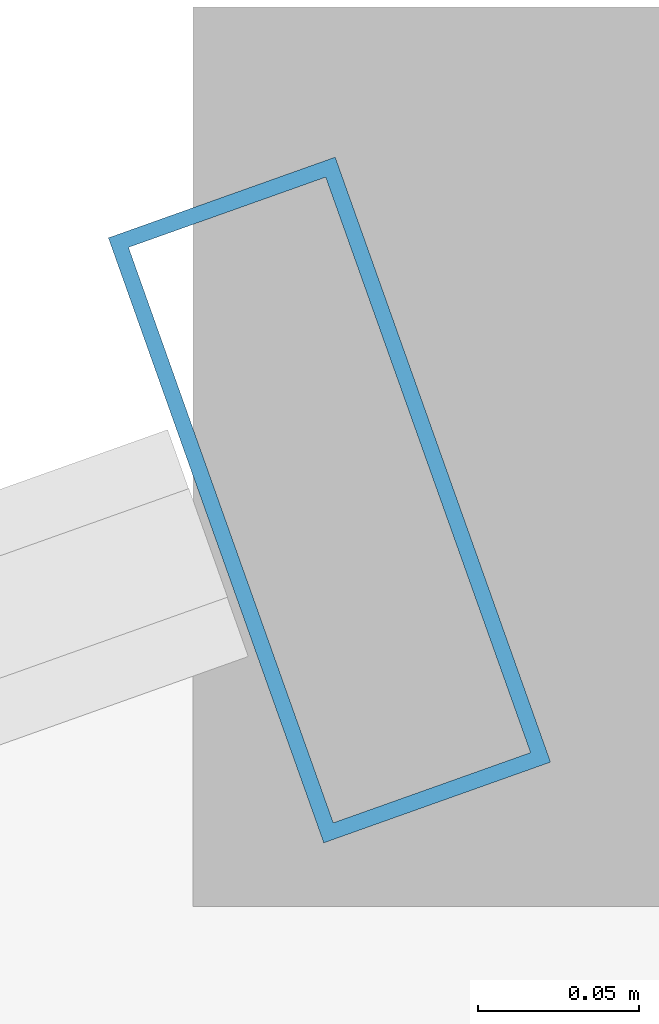
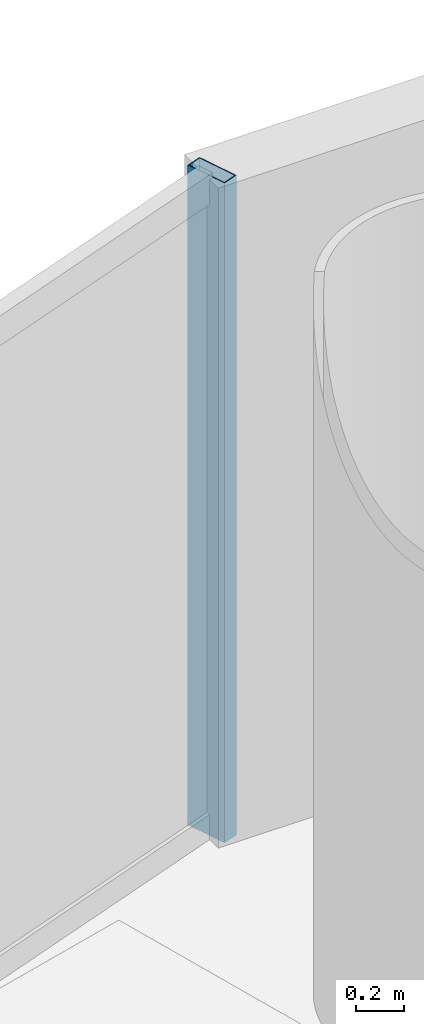
# One storey, part 17 of 27: 1 member, 1 element without a shape of its own.
"""IFC4 building model written with IfcOpenShell, lengths in metres."""

import ifcopenshell
import ifcopenshell.guid

model = None  # the IFC model being written
_history = None  # IfcOwnerHistory: only IFC2X3 demands one
_inside = {}  # id of a spatial element -> (the spatial element, [elements in it])
_under = {}  # id of a project, library or spatial element -> (it, [spatial elements below it])
_declared = {}  # id of a project -> (the project, [libraries it declares])
_typed = {}  # id of a type object -> (the type object, [elements of that type])
_made_of = {}  # id of a material, layer set ... -> (it, [elements and type objects made of it])


def new_model(schema):
    """Start an empty IFC model of exactly this schema.

    Asked for "IFC4X3", IfcOpenShell would pick the latest addendum, in which some entities
    have other attributes; the version numbers below select the first issue.
    IFC2X3 requires an IfcOwnerHistory on every rooted entity: one is made here for all.
    """
    global model, _history
    if schema == "IFC4X3":
        model = ifcopenshell.file(schema_version=(4, 3, 0, 0))
    else:
        model = ifcopenshell.file(schema=schema)
    _inside.clear()
    _under.clear()
    _declared.clear()
    _typed.clear()
    _made_of.clear()
    _history = None
    if model.schema == "IFC2X3":
        org = make("IfcOrganization", Name="unknown")
        user = make(
            "IfcPersonAndOrganization",
            ThePerson=make("IfcPerson", FamilyName="unknown"),
            TheOrganization=org,
        )
        app = make(
            "IfcApplication",
            ApplicationDeveloper=org,
            Version="unknown",
            ApplicationFullName="unknown",
            ApplicationIdentifier="unknown",
        )
        _history = make(
            "IfcOwnerHistory",
            OwningUser=user,
            OwningApplication=app,
            ChangeAction="ADDED",
            CreationDate=0,
        )
    return model


def make(cls, **values):
    """One entity of the class cls with the attributes given. An attribute that is None is left unset."""
    return model.create_entity(
        cls, **{name: value for name, value in values.items() if value is not None}
    )


def rooted(cls, **values):
    """An entity with a GlobalId (a new one), such as an element, a storey or a relation."""
    return make(cls, GlobalId=ifcopenshell.guid.new(), OwnerHistory=_history, **values)


def si_unit(unit_type, name, prefix=None):
    """IfcSIUnit, for example si_unit("LENGTHUNIT", "METRE", prefix="MILLI")."""
    return make("IfcSIUnit", UnitType=unit_type, Prefix=prefix, Name=name)


def assignment(units):
    """IfcUnitAssignment: the units of a project."""
    return None if units is None else make("IfcUnitAssignment", Units=units)


def point(xyz):
    """IfcCartesianPoint."""
    return None if xyz is None else make("IfcCartesianPoint", Coordinates=xyz)


def direction(xyz):
    """IfcDirection."""
    return None if xyz is None else make("IfcDirection", DirectionRatios=xyz)


def frame(location, z_axis=None, x_axis=None):
    """IfcAxis2Placement3D, a coordinate frame: its origin and axes. An axis left out is left unset."""
    return make(
        "IfcAxis2Placement3D",
        Location=point(location),
        Axis=direction(z_axis),
        RefDirection=direction(x_axis),
    )


def frame_2d(location, x_axis=None):
    """IfcAxis2Placement2D, a coordinate frame in the plane: its origin and x axis."""
    return make(
        "IfcAxis2Placement2D", Location=point(location), RefDirection=direction(x_axis)
    )


def origin():
    """The frame at (0, 0, 0) with its axes left unset."""
    return frame((0.0, 0.0, 0.0))


def origin_2d():
    """The frame at (0, 0) in the plane with its x axis left unset."""
    return frame_2d((0.0, 0.0))


def place(relative_to, where):
    """IfcLocalPlacement: puts the frame where relative to a parent placement (None: the world)."""
    return make(
        "IfcLocalPlacement", PlacementRelTo=relative_to, RelativePlacement=where
    )


def context(
    kind, dimensions, precision=None, world=None, true_north=None, identifier=None
):
    """IfcGeometricRepresentationContext, for example the 3D "Model" context."""
    return make(
        "IfcGeometricRepresentationContext",
        ContextIdentifier=identifier,
        ContextType=kind,
        CoordinateSpaceDimension=dimensions,
        Precision=precision,
        WorldCoordinateSystem=world,
        TrueNorth=true_north,
    )


def subcontext(parent, identifier, kind, view, scale=None):
    """IfcGeometricRepresentationSubContext, for example "Body" below "Model"."""
    return make(
        "IfcGeometricRepresentationSubContext",
        ContextIdentifier=identifier,
        ContextType=kind,
        ParentContext=parent,
        TargetScale=scale,
        TargetView=view,
    )


def project(units=None, contexts=None):
    """IfcProject with its units and contexts."""
    return rooted(
        "IfcProject",
        Name="project",
        RepresentationContexts=contexts,
        UnitsInContext=assignment(units),
    )


def spatial(cls, under=None, at=None, **own):
    """A site, building, storey or space (cls), placed at a placement, below another one or the project."""
    s = rooted(cls, ObjectPlacement=at, **own)
    if under is not None:
        _under.setdefault(under.id(), (under, []))[1].append(s)
    return s


def profile(cls, at=None, kind="AREA", **sizes):
    """A parametric profile (cls). Its sizes go by their IFC names, for example OverallWidth=200.0."""
    return make(cls, ProfileType=kind, Position=at, **sizes)


def hollow_rectangle(**sizes):
    """IfcRectangleHollowProfileDef."""
    return profile("IfcRectangleHollowProfileDef", **sizes)


def extrude(swept, where, along, depth):
    """IfcExtrudedAreaSolid: the profile swept, set in the frame where, extruded along a direction by depth."""
    return make(
        "IfcExtrudedAreaSolid",
        SweptArea=swept,
        Position=where,
        ExtrudedDirection=direction(along),
        Depth=depth,
    )


def shape(context_of_items, identifier, shape_type, items):
    """IfcShapeRepresentation: the items that make up one representation, for example the "Body"."""
    return make(
        "IfcShapeRepresentation",
        ContextOfItems=context_of_items,
        RepresentationIdentifier=identifier,
        RepresentationType=shape_type,
        Items=items,
    )


def source(mapping_origin, context_of_items, identifier, shape_type, items):
    """IfcRepresentationMap: a shape defined once, which mapped items show again and again."""
    return make(
        "IfcRepresentationMap",
        MappingOrigin=mapping_origin,
        MappedRepresentation=shape(context_of_items, identifier, shape_type, items),
    )


def transform(
    local_origin,
    x_axis=None,
    y_axis=None,
    z_axis=None,
    scale=None,
    scale2=None,
    scale3=None,
    uniform=True,
):
    """IfcCartesianTransformationOperator3D, or its non-uniform kind. x_axis, y_axis, z_axis: its Axis1, 2, 3."""
    if uniform:
        return make(
            "IfcCartesianTransformationOperator3D",
            Axis1=direction(x_axis),
            Axis2=direction(y_axis),
            LocalOrigin=point(local_origin),
            Scale=scale,
            Axis3=direction(z_axis),
        )
    return make(
        "IfcCartesianTransformationOperator3DnonUniform",
        Axis1=direction(x_axis),
        Axis2=direction(y_axis),
        LocalOrigin=point(local_origin),
        Scale=scale,
        Axis3=direction(z_axis),
        Scale2=scale2,
        Scale3=scale3,
    )


def mapped(mapping_source, mapping_target):
    """IfcMappedItem: shows the shape of a source again, moved by a transform."""
    return make(
        "IfcMappedItem", MappingSource=mapping_source, MappingTarget=mapping_target
    )


def material(Name=None, Category=None):
    """IfcMaterial."""
    return make("IfcMaterial", Name=Name, Category=Category)


def material_profile(
    of_material, cross_section, Name=None, Category=None, Priority=None
):
    """IfcMaterialProfile: a cross section and its material."""
    return make(
        "IfcMaterialProfile",
        Name=Name,
        Material=of_material,
        Profile=cross_section,
        Priority=Priority,
        Category=Category,
    )


def profile_set(profiles, Name=None, composite=None):
    """IfcMaterialProfileSet."""
    return make(
        "IfcMaterialProfileSet",
        Name=Name,
        MaterialProfiles=profiles,
        CompositeProfile=composite,
    )


def made_of(thing, what):
    """Note that an element or type object is made of a material, layer set ...; save() writes the relation."""
    if what is not None:
        _made_of.setdefault(what.id(), (what, []))[1].append(thing)
    return thing


def type_object(cls, material=None, **own):
    """A type object (cls), such as IfcWallType, which elements share."""
    return made_of(rooted(cls, **own), material)


def element(
    cls,
    number,
    at=None,
    inside=None,
    cuts=None,
    type_object=None,
    material=None,
    context=None,
    identifier="Body",
    shape_type=None,
    held_by="IfcProductDefinitionShape",
    body=None,
    shapes=None,
    **own,
):
    """One element of the class cls, such as IfcWall. Its Tag is "e" and its number.

    at: its placement. inside: the storey or other place that contains it. cuts: it is an
    opening in that element (IfcRelVoidsElement). A single representation is given by context,
    identifier, shape_type and body (its items); several are given by shapes. held_by: the class
    of the entity that holds the representations. save() writes the other relations.
    """
    e = rooted(cls, Tag="e%d" % number, ObjectPlacement=at, **own)
    if body is not None:
        shapes = [shape(context, identifier, shape_type, body)]
    if shapes is not None:
        e.Representation = make(held_by, Representations=shapes)
    if inside is not None:
        _inside.setdefault(inside.id(), (inside, []))[1].append(e)
    if cuts is not None:
        rooted(
            "IfcRelVoidsElement", RelatingBuildingElement=cuts, RelatedOpeningElement=e
        )
    if type_object is not None:
        _typed.setdefault(type_object.id(), (type_object, []))[1].append(e)
    return made_of(e, material)


def aggregate(whole, parts):
    """IfcRelAggregates: a whole, such as a stair, and the parts it consists of."""
    return rooted("IfcRelAggregates", RelatingObject=whole, RelatedObjects=parts)


def save(model, path):
    """Write the relations noted so far, then the file.

    IfcRelAggregates (storeys below a building ...), IfcRelContainedInSpatialStructure (elements
    in a storey), IfcRelDefinesByType, IfcRelAssociatesMaterial and IfcRelDeclares: one each for
    every whole, place, type object, material and project.
    """
    for whole, parts in _under.values():
        aggregate(whole, parts)
    for where, things in _inside.values():
        rooted(
            "IfcRelContainedInSpatialStructure",
            RelatedElements=things,
            RelatingStructure=where,
        )
    for kind, things in _typed.values():
        rooted("IfcRelDefinesByType", RelatedObjects=things, RelatingType=kind)
    for what, things in _made_of.values():
        rooted("IfcRelAssociatesMaterial", RelatedObjects=things, RelatingMaterial=what)
    for by, libraries in _declared.values():
        rooted("IfcRelDeclares", RelatingContext=by, RelatedDefinitions=libraries)
    model.write(path)


model = new_model("IFC4")

# Units and contexts
model_context = context("Model", 3, precision=1e-05, world=origin(), true_north=direction((-0.2419218956, 0.970295726276)))
body_context = subcontext(model_context, "Body", "Model", "MODEL_VIEW")
ifc_project = project(units=[si_unit("LENGTHUNIT", "METRE"), si_unit("AREAUNIT", "SQUARE_METRE"), si_unit("VOLUMEUNIT", "CUBIC_METRE"), si_unit("PLANEANGLEUNIT", "RADIAN"), si_unit("MASSUNIT", "GRAM", prefix="KILO")], contexts=[model_context])

# Site, building, storey
site_placement = place(None, origin())
site = spatial("IfcSite", under=ifc_project, at=site_placement, CompositionType="ELEMENT")
building_placement = place(site_placement, origin())
building = spatial("IfcBuilding", under=site, at=building_placement, Name="Cobrevalo Terracotta Tower", CompositionType="ELEMENT")
storey_placement = place(building_placement, frame((0.0, 0.0, 146.199951171875)))
storey = spatial("IfcBuildingStorey", under=building, at=storey_placement, Name="L38", CompositionType="ELEMENT", Elevation=146.199951171875)

# Curtain wall, member
ifc_material = material(Name="Anodized aluminium", Category="aluminium")
curtain_wall_type = type_object("IfcCurtainWallType", Name="Mid-tower high-wind unitised curtain wall CW-U2", PredefinedType="NOTDEFINED", material=ifc_material)
curtain_wall_placement = place(storey_placement, origin())
curtain_wall = element("IfcCurtainWall", 1, at=curtain_wall_placement, inside=storey, type_object=curtain_wall_type, Name="L38 curtain wall CW-L38-S05", PredefinedType="NOTDEFINED")
ifc_material_profile = material_profile(ifc_material, hollow_rectangle(XDim=0.074951171875, YDim=0.199951171875, WallThickness=0.0048828125, at=origin_2d()), Name="CWM 75x200")
ifc_profile_set = profile_set([ifc_material_profile], Name="Anodized aluminium")
member_type = type_object("IfcMemberType", Name="Lower/mid tower unitised mullion 75x200", PredefinedType="MULLION", material=ifc_profile_set)
shared_shape = source(origin(), body_context, "Body", "SweptSolid", [
    extrude(hollow_rectangle(XDim=0.074951171875, YDim=0.199951171875, WallThickness=0.0048828125, at=origin_2d()), origin(), (0.0, 0.0, 1.0), 3.330078125),
])
member_placement = place(storey_placement, frame((33.2470703125, 47.157470703125, 0.0), z_axis=(0.0, 0.0, 1.0), x_axis=(-0.942098428897, -0.335336473217, 0.0)))
member = element("IfcMember", 2, at=member_placement, type_object=member_type, Name="CW-L38-S05 vertical mullion 01", PredefinedType="MULLION", context=body_context, shape_type="MappedRepresentation", body=[
    mapped(shared_shape, transform((0.0, 0.0, 0.0), scale=1.0)),
])
aggregate(curtain_wall, [member])

save(model, "model.ifc")
